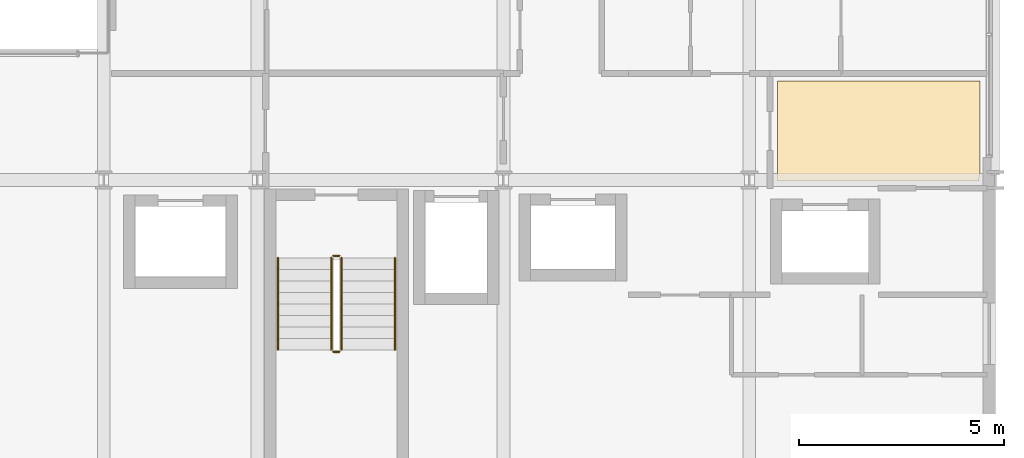
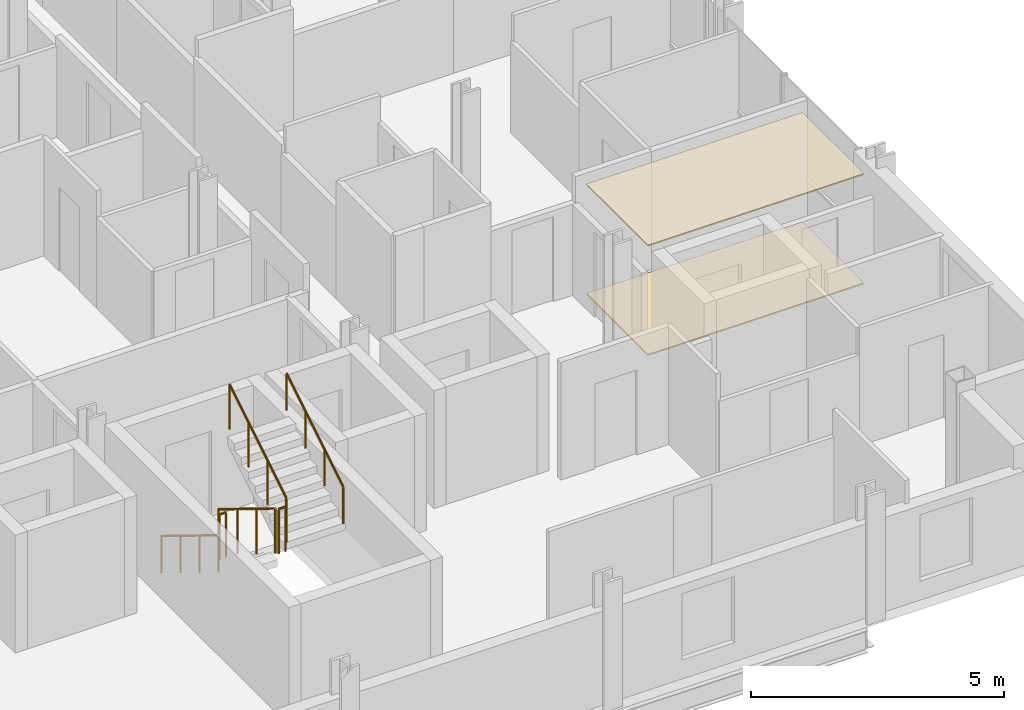
# One storey, part 40 of 41: 6 railings, 2 coverings.
"""IFC4 building model written with IfcOpenShell, lengths in metres."""

from ifc_helpers import new_model, si_unit, direction, frame, origin, origin_2d, place, context, subcontext, project, spatial, polyline, circle, outline, extrude, material, layer, layer_set, type_object, element, save


model = new_model("IFC4")

# Units and contexts
model_context = context("Model", 3, precision=1e-05, world=origin(), true_north=direction((0.0, 1.0)))
body_context = subcontext(model_context, "Body", "Model", "MODEL_VIEW")
ifc_project = project(units=[si_unit("LENGTHUNIT", "METRE"), si_unit("AREAUNIT", "SQUARE_METRE"), si_unit("VOLUMEUNIT", "CUBIC_METRE"), si_unit("PLANEANGLEUNIT", "RADIAN"), si_unit("MASSUNIT", "GRAM", prefix="KILO")], contexts=[model_context])

# Site, building, storey
site_placement = place(None, origin())
site = spatial("IfcSite", under=ifc_project, at=site_placement, CompositionType="ELEMENT")
building_placement = place(site_placement, origin())
building = spatial("IfcBuilding", under=site, at=building_placement, Name="Brevholm Reach", CompositionType="ELEMENT")
storey_placement = place(building_placement, frame((0.0, 0.0, 93.10009765625)))
storey = spatial("IfcBuildingStorey", under=building, at=storey_placement, Name="L27", CompositionType="ELEMENT", Elevation=93.10009765625)

# Coverings
ifc_material_1 = material(Name="Moisture-Resistant Skimmed Gypsum Plasterboard Ceiling", Category="gypsum")
ifc_layer_1 = layer(ifc_material_1, 0.030029296875)
ifc_layer_set_1 = layer_set([ifc_layer_1], Name="Moisture-Resistant Skimmed Gypsum Plasterboard Ceiling")
covering_type_1 = type_object("IfcCoveringType", Name="COV-CLG-GYP", PredefinedType="CEILING", material=ifc_layer_set_1)
covering_1_placement = place(storey_placement, frame((0.0, 0.0, 2.639892578125)))
element("IfcCovering", 1, at=covering_1_placement, inside=storey, type_object=covering_type_1, Name="L27 Suspended Ceiling L27-34", PredefinedType="CEILING", context=body_context, shape_type="SweptSolid", body=[
    extrude(outline(polyline([(59.6201171875, 12.419921875), (59.6201171875, 10.123779296875), (59.6171875, 10.1162109375), (59.607666015625, 10.077880859375), (59.601806640625, 10.039306640625), (59.60009765625, 10.0), (59.60107421875, 9.97998046875), (54.68408203125, 9.97998046875), (54.68408203125, 12.419921875), (59.6201171875, 12.419921875)])), origin(), (0.0, 0.0, 1.0), 0.030029296875),
])
ifc_material_2 = material(Name="Honed Portland-Aggregate Resin Terrazzo Flooring", Category="concrete")
ifc_layer_2 = layer(ifc_material_2, 0.031982421875)
ifc_layer_set_2 = layer_set([ifc_layer_2], Name="Honed Portland-Aggregate Resin Terrazzo Flooring")
covering_type_2 = type_object("IfcCoveringType", Name="COV-FLR-TRZ", PredefinedType="FLOORING", material=ifc_layer_set_2)
covering_2_placement = place(storey_placement, origin())
element("IfcCovering", 2, at=covering_2_placement, inside=storey, type_object=covering_type_2, Name="L27 Floor Finish L27-34", PredefinedType="FLOORING", context=body_context, shape_type="SweptSolid", body=[
    extrude(outline(polyline([(59.6201171875, 12.419921875), (59.6201171875, 10.123779296875), (59.6171875, 10.1162109375), (59.607666015625, 10.077880859375), (59.601806640625, 10.039306640625), (59.60009765625, 10.0), (59.60107421875, 9.97998046875), (54.68408203125, 9.97998046875), (54.68408203125, 12.419921875), (59.6201171875, 12.419921875)])), origin(), (0.0, 0.0, 1.0), 0.031982421875),
])

# Railings
ifc_material_3 = material(Name="Brushed Stainless Steel EN 1.4401 Continuous Handrail", Category="steel")
railing_type_1 = type_object("IfcRailingType", Name="RAL-HND-950", PredefinedType="HANDRAIL", material=ifc_material_3)
railing_1_placement = place(storey_placement, frame((42.5, 8.10009765625, 0.172119140625)))
element("IfcRailing", 3, at=railing_1_placement, inside=storey, type_object=railing_type_1, Name="L27 ST-2 stair handrail 1", PredefinedType="HANDRAIL", context=body_context, shape_type="SweptSolid", body=[
    extrude(circle(Radius=0.02392578125, at=origin_2d()), frame((0.0, 0.0, 0.8857421875), z_axis=(0.0, -0.85178898068, 0.523885037382), x_axis=(1.0, 0.0, 0.0)), (0.0, 0.0, 1.0), 2.629638671875),
    extrude(circle(Radius=0.02099609375, at=origin_2d()), origin(), (0.0, 0.0, 1.0), 0.86181640625),
    extrude(circle(Radius=0.02099609375, at=origin_2d()), frame((0.0, -0.74658203125, 0.459228515625)), (0.0, 0.0, 1.0), 0.86181640625),
    extrude(circle(Radius=0.02099609375, at=origin_2d()), frame((0.0, -1.493408203125, 0.91845703125)), (0.0, 0.0, 1.0), 0.86181640625),
    extrude(circle(Radius=0.02099609375, at=origin_2d()), frame((0.0, -2.239990234375, 1.377685546875)), (0.0, 0.0, 1.0), 0.86181640625),
])
railing_2_placement = place(storey_placement, frame((45.35009765625, 5.860107421875, 1.72216796875)))
element("IfcRailing", 4, at=railing_2_placement, inside=storey, type_object=railing_type_1, Name="L27 ST-2 stair handrail 2", PredefinedType="HANDRAIL", context=body_context, shape_type="SweptSolid", body=[
    extrude(circle(Radius=0.02392578125, at=origin_2d()), frame((0.0, 0.0, 0.8857421875), z_axis=(0.0, 0.85178898068, 0.523885037382), x_axis=(-1.0, 0.0, 0.0)), (0.0, 0.0, 1.0), 2.629638671875),
    extrude(circle(Radius=0.02099609375, at=origin_2d()), origin(), (0.0, 0.0, 1.0), 0.86181640625),
    extrude(circle(Radius=0.02099609375, at=origin_2d()), frame((0.0, 0.74658203125, 0.459228515625)), (0.0, 0.0, 1.0), 0.86181640625),
    extrude(circle(Radius=0.02099609375, at=origin_2d()), frame((0.0, 1.493408203125, 0.91845703125)), (0.0, 0.0, 1.0), 0.86181640625),
    extrude(circle(Radius=0.02099609375, at=origin_2d()), frame((0.0, 2.239990234375, 1.377685546875)), (0.0, 0.0, 1.0), 0.86181640625),
])
ifc_material_4 = material(Name="Painted Tubular Galvanised Steel S275JR Stair Guard", Category="steel")
railing_type_2 = type_object("IfcRailingType", Name="RAL-STG-1120", PredefinedType="BALUSTRADE", material=ifc_material_4)
railing_3_placement = place(storey_placement, frame((43.800048828125, 8.10009765625, 0.172119140625)))
element("IfcRailing", 5, at=railing_3_placement, inside=storey, type_object=railing_type_2, Name="L27 ST-2 stair guard 1", PredefinedType="BALUSTRADE", context=body_context, shape_type="SweptSolid", body=[
    extrude(circle(Radius=0.02392578125, at=origin_2d()), frame((0.0, 0.0, 1.076171875), z_axis=(0.0, -0.85178898068, 0.523885037382), x_axis=(1.0, 0.0, 0.0)), (0.0, 0.0, 1.0), 2.629638671875),
    extrude(circle(Radius=0.02099609375, at=origin_2d()), origin(), (0.0, 0.0, 1.0), 1.052001953125),
    extrude(circle(Radius=0.02099609375, at=origin_2d()), frame((0.0, -0.74658203125, 0.459228515625)), (0.0, 0.0, 1.0), 1.052001953125),
    extrude(circle(Radius=0.02099609375, at=origin_2d()), frame((0.0, -1.493408203125, 0.91845703125)), (0.0, 0.0, 1.0), 1.052001953125),
    extrude(circle(Radius=0.02099609375, at=origin_2d()), frame((0.0, -2.239990234375, 1.377685546875)), (0.0, 0.0, 1.0), 1.052001953125),
])
railing_4_placement = place(storey_placement, frame((43.85009765625, 5.81005859375, 1.5498046875)))
element("IfcRailing", 6, at=railing_4_placement, inside=storey, type_object=railing_type_2, Name="L27 ST-2 stair guard 2", PredefinedType="BALUSTRADE", context=body_context, shape_type="SweptSolid", body=[
    extrude(circle(Radius=0.02392578125, at=origin_2d()), frame((0.0, 0.0, 1.076171875), z_axis=(1.0, 0.0, 0.0), x_axis=(0.0, 1.0, 0.0)), (0.0, 0.0, 1.0), 0.14990234375),
    extrude(circle(Radius=0.02099609375, at=origin_2d()), origin(), (0.0, 0.0, 1.0), 1.052001953125),
    extrude(circle(Radius=0.02099609375, at=origin_2d()), frame((0.14990234375, 0.0, 0.0)), (0.0, 0.0, 1.0), 1.052001953125),
])
railing_5_placement = place(storey_placement, frame((44.050048828125, 5.860107421875, 1.72216796875)))
element("IfcRailing", 7, at=railing_5_placement, inside=storey, type_object=railing_type_2, Name="L27 ST-2 stair guard 3", PredefinedType="BALUSTRADE", context=body_context, shape_type="SweptSolid", body=[
    extrude(circle(Radius=0.02392578125, at=origin_2d()), frame((0.0, 0.0, 1.076171875), z_axis=(0.0, 0.85178898068, 0.523885037382), x_axis=(-1.0, 0.0, 0.0)), (0.0, 0.0, 1.0), 2.629638671875),
    extrude(circle(Radius=0.02099609375, at=origin_2d()), origin(), (0.0, 0.0, 1.0), 1.052001953125),
    extrude(circle(Radius=0.02099609375, at=origin_2d()), frame((0.0, 0.74658203125, 0.459228515625)), (0.0, 0.0, 1.0), 1.052001953125),
    extrude(circle(Radius=0.02099609375, at=origin_2d()), frame((0.0, 1.493408203125, 0.91845703125)), (0.0, 0.0, 1.0), 1.052001953125),
    extrude(circle(Radius=0.02099609375, at=origin_2d()), frame((0.0, 2.239990234375, 1.377685546875)), (0.0, 0.0, 1.0), 1.052001953125),
])
railing_6_placement = place(storey_placement, frame((43.85009765625, 8.14990234375, 0.0)))
element("IfcRailing", 8, at=railing_6_placement, inside=storey, type_object=railing_type_2, Name="L27 ST-2 stair guard 4", PredefinedType="BALUSTRADE", context=body_context, shape_type="SweptSolid", body=[
    extrude(circle(Radius=0.02392578125, at=origin_2d()), frame((0.0, 0.0, 1.076171875), z_axis=(1.0, 0.0, 0.0), x_axis=(0.0, 1.0, 0.0)), (0.0, 0.0, 1.0), 0.14990234375),
    extrude(circle(Radius=0.02099609375, at=origin_2d()), origin(), (0.0, 0.0, 1.0), 1.052001953125),
    extrude(circle(Radius=0.02099609375, at=origin_2d()), frame((0.14990234375, 0.0, 0.0)), (0.0, 0.0, 1.0), 1.052001953125),
])

save(model, "model.ifc")
